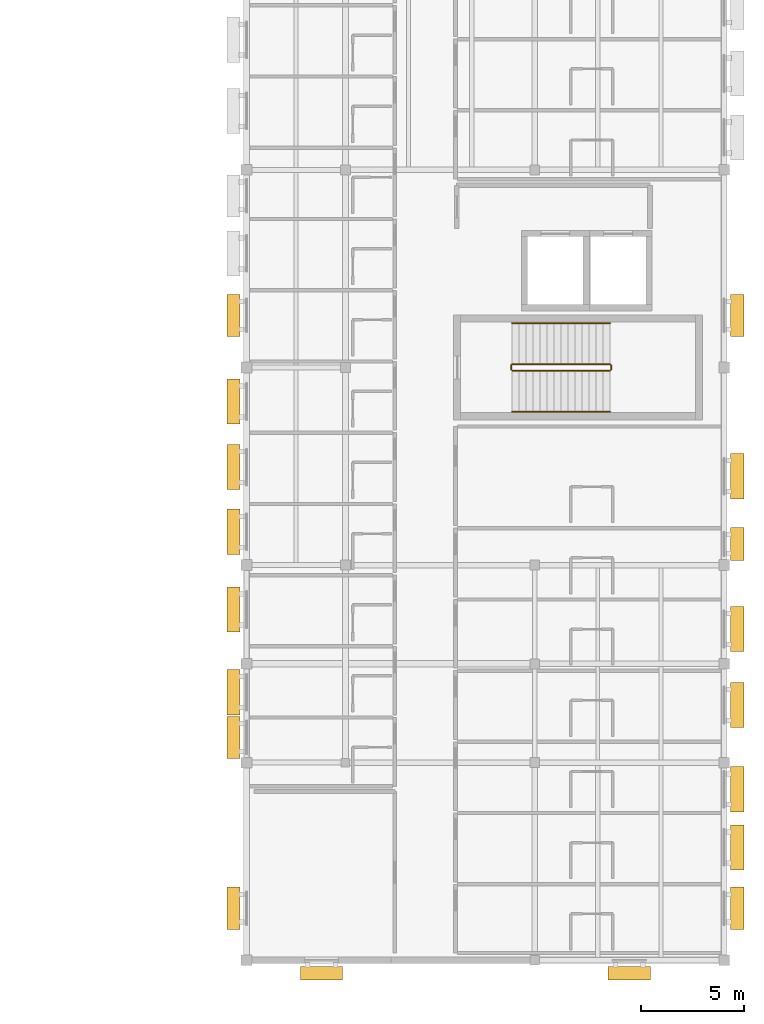
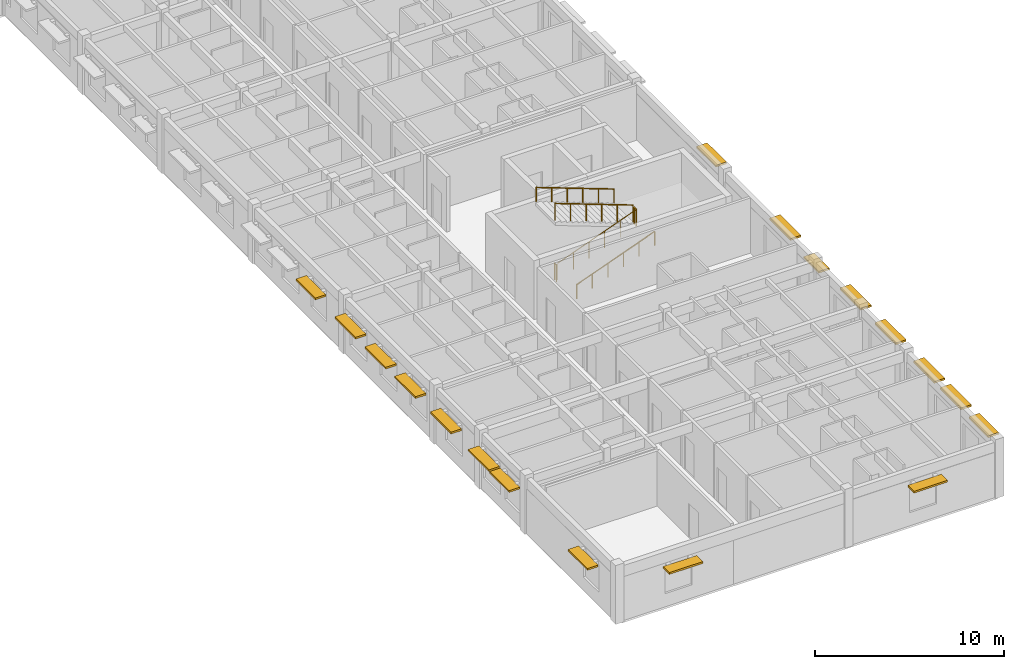
# One storey, part 18 of 20: 18 shading devices, 6 railings.
"""IFC4 building model written with IfcOpenShell, lengths in metres."""

from ifc_helpers import new_model, si_unit, direction, frame, origin, origin_2d, place, context, subcontext, project, spatial, rectangle, circle, extrude, material, type_object, element, save


model = new_model("IFC4")

# Units and contexts
model_context = context("Model", 3, precision=1e-05, world=origin(), true_north=direction((0.0, 1.0)))
body_context = subcontext(model_context, "Body", "Model", "MODEL_VIEW")
ifc_project = project(units=[si_unit("LENGTHUNIT", "METRE"), si_unit("AREAUNIT", "SQUARE_METRE"), si_unit("VOLUMEUNIT", "CUBIC_METRE"), si_unit("PLANEANGLEUNIT", "RADIAN"), si_unit("MASSUNIT", "GRAM", prefix="KILO")], contexts=[model_context])

# Site, building, storey
site_placement = place(None, origin())
site = spatial("IfcSite", under=ifc_project, at=site_placement, CompositionType="ELEMENT")
building_placement = place(site_placement, origin())
building = spatial("IfcBuilding", under=site, at=building_placement, Name="Veldera Park Congress Hotel", CompositionType="ELEMENT")
storey_placement = place(building_placement, frame((0.0, 0.0, 27.60009765625)))
storey = spatial("IfcBuildingStorey", under=building, at=storey_placement, Name="L06", CompositionType="ELEMENT", Elevation=27.60009765625)

# Railings
ifc_material_1 = material(Name="Steel ASTM A992 Gr.50", Category="steel")
railing_type_1 = type_object("IfcRailingType", Name="GRD-ST110", PredefinedType="GUARDRAIL", material=ifc_material_1)
railing_1_placement = place(storey_placement, frame((73.699951171875, -9.14990234375, 0.12646484375)))
element("IfcRailing", 1, at=railing_1_placement, inside=storey, type_object=railing_type_1, Name="L06 ST2 stair guard 1", PredefinedType="GUARDRAIL", context=body_context, shape_type="SweptSolid", body=[
    extrude(circle(Radius=0.02392578125, at=origin_2d()), frame((0.0, 0.0, 1.076171875), z_axis=(0.937075640343, 0.0, 0.349126401572), x_axis=(0.0, 1.0, 0.0)), (0.0, 0.0, 1.0), 5.07958984375),
    extrude(circle(Radius=0.02099609375, at=origin_2d()), origin(), (0.0, 0.0, 1.0), 1.052001953125),
    extrude(circle(Radius=0.02099609375, at=origin_2d()), frame((0.951904296875, 0.0, 0.354736328125)), (0.0, 0.0, 1.0), 1.052001953125),
    extrude(circle(Radius=0.02099609375, at=origin_2d()), frame((1.904052734375, 0.0, 0.70947265625)), (0.0, 0.0, 1.0), 1.052001953125),
    extrude(circle(Radius=0.02099609375, at=origin_2d()), frame((2.85595703125, 0.0, 1.06396484375)), (0.0, 0.0, 1.0), 1.052001953125),
    extrude(circle(Radius=0.02099609375, at=origin_2d()), frame((3.80810546875, 0.0, 1.418701171875)), (0.0, 0.0, 1.0), 1.052001953125),
    extrude(circle(Radius=0.02099609375, at=origin_2d()), frame((4.760009765625, 0.0, 1.7734375)), (0.0, 0.0, 1.0), 1.052001953125),
])
railing_2_placement = place(storey_placement, frame((78.510009765625, -9.10009765625, 1.89990234375)))
element("IfcRailing", 2, at=railing_2_placement, inside=storey, type_object=railing_type_1, Name="L06 ST2 stair guard 2", PredefinedType="GUARDRAIL", context=body_context, shape_type="SweptSolid", body=[
    extrude(circle(Radius=0.02392578125, at=origin_2d()), frame((0.0, 0.0, 1.076171875), z_axis=(0.0, 1.0, 0.0), x_axis=(-1.0, 0.0, 0.0)), (0.0, 0.0, 1.0), 0.2001953125),
    extrude(circle(Radius=0.02099609375, at=origin_2d()), origin(), (0.0, 0.0, 1.0), 1.052001953125),
    extrude(circle(Radius=0.02099609375, at=origin_2d()), frame((0.0, 0.2001953125, 0.0)), (0.0, 0.0, 1.0), 1.052001953125),
])
railing_3_placement = place(storey_placement, frame((78.4599609375, -8.85009765625, 2.026611328125)))
element("IfcRailing", 3, at=railing_3_placement, inside=storey, type_object=railing_type_1, Name="L06 ST2 stair guard 3", PredefinedType="GUARDRAIL", context=body_context, shape_type="SweptSolid", body=[
    extrude(circle(Radius=0.02392578125, at=origin_2d()), frame((0.0, 0.0, 1.076171875), z_axis=(-0.937091363699, 0.0, 0.349084196263), x_axis=(0.0, -1.0, 0.0)), (0.0, 0.0, 1.0), 5.07958984375),
    extrude(circle(Radius=0.02099609375, at=origin_2d()), origin(), (0.0, 0.0, 1.0), 1.052001953125),
    extrude(circle(Radius=0.02099609375, at=origin_2d()), frame((-0.951904296875, 0.0, 0.354736328125)), (0.0, 0.0, 1.0), 1.052001953125),
    extrude(circle(Radius=0.02099609375, at=origin_2d()), frame((-1.904052734375, 0.0, 0.709228515625)), (0.0, 0.0, 1.0), 1.052001953125),
    extrude(circle(Radius=0.02099609375, at=origin_2d()), frame((-2.85595703125, 0.0, 1.06396484375)), (0.0, 0.0, 1.0), 1.052001953125),
    extrude(circle(Radius=0.02099609375, at=origin_2d()), frame((-3.80810546875, 0.0, 1.41845703125)), (0.0, 0.0, 1.0), 1.052001953125),
    extrude(circle(Radius=0.02099609375, at=origin_2d()), frame((-4.760009765625, 0.0, 1.773193359375)), (0.0, 0.0, 1.0), 1.052001953125),
])
railing_4_placement = place(storey_placement, frame((73.64990234375, -9.10009765625, 0.0)))
element("IfcRailing", 4, at=railing_4_placement, inside=storey, type_object=railing_type_1, Name="L06 ST2 stair guard 4", PredefinedType="GUARDRAIL", context=body_context, shape_type="SweptSolid", body=[
    extrude(circle(Radius=0.02392578125, at=origin_2d()), frame((0.0, 0.0, 1.076171875), z_axis=(0.0, 1.0, 0.0), x_axis=(-1.0, 0.0, 0.0)), (0.0, 0.0, 1.0), 0.2001953125),
    extrude(circle(Radius=0.02099609375, at=origin_2d()), origin(), (0.0, 0.0, 1.0), 1.052001953125),
    extrude(circle(Radius=0.02099609375, at=origin_2d()), frame((0.0, 0.2001953125, 0.0)), (0.0, 0.0, 1.0), 1.052001953125),
])
railing_type_2 = type_object("IfcRailingType", Name="HRL-920", PredefinedType="HANDRAIL", material=ifc_material_1)
railing_5_placement = place(storey_placement, frame((73.699951171875, -11.14990234375, 0.12646484375)))
element("IfcRailing", 5, at=railing_5_placement, inside=storey, type_object=railing_type_2, Name="L06 ST2 stair handrail 1", PredefinedType="HANDRAIL", context=body_context, shape_type="SweptSolid", body=[
    extrude(circle(Radius=0.02392578125, at=origin_2d()), frame((0.0, 0.0, 0.89599609375), z_axis=(0.937075640343, 0.0, 0.349126401572), x_axis=(0.0, 1.0, 0.0)), (0.0, 0.0, 1.0), 5.07958984375),
    extrude(circle(Radius=0.02099609375, at=origin_2d()), origin(), (0.0, 0.0, 1.0), 0.871826171875),
    extrude(circle(Radius=0.02099609375, at=origin_2d()), frame((0.951904296875, 0.0, 0.354736328125)), (0.0, 0.0, 1.0), 0.871826171875),
    extrude(circle(Radius=0.02099609375, at=origin_2d()), frame((1.904052734375, 0.0, 0.70947265625)), (0.0, 0.0, 1.0), 0.871826171875),
    extrude(circle(Radius=0.02099609375, at=origin_2d()), frame((2.85595703125, 0.0, 1.06396484375)), (0.0, 0.0, 1.0), 0.871826171875),
    extrude(circle(Radius=0.02099609375, at=origin_2d()), frame((3.80810546875, 0.0, 1.418701171875)), (0.0, 0.0, 1.0), 0.871826171875),
    extrude(circle(Radius=0.02099609375, at=origin_2d()), frame((4.760009765625, 0.0, 1.7734375)), (0.0, 0.0, 1.0), 0.871826171875),
])
railing_6_placement = place(storey_placement, frame((78.4599609375, -6.85009765625, 2.026611328125)))
element("IfcRailing", 6, at=railing_6_placement, inside=storey, type_object=railing_type_2, Name="L06 ST2 stair handrail 2", PredefinedType="HANDRAIL", context=body_context, shape_type="SweptSolid", body=[
    extrude(circle(Radius=0.02392578125, at=origin_2d()), frame((0.0, 0.0, 0.89599609375), z_axis=(-0.937091363699, 0.0, 0.349084196263), x_axis=(0.0, -1.0, 0.0)), (0.0, 0.0, 1.0), 5.07958984375),
    extrude(circle(Radius=0.02099609375, at=origin_2d()), origin(), (0.0, 0.0, 1.0), 0.871826171875),
    extrude(circle(Radius=0.02099609375, at=origin_2d()), frame((-0.951904296875, 0.0, 0.354736328125)), (0.0, 0.0, 1.0), 0.871826171875),
    extrude(circle(Radius=0.02099609375, at=origin_2d()), frame((-1.904052734375, 0.0, 0.709228515625)), (0.0, 0.0, 1.0), 0.871826171875),
    extrude(circle(Radius=0.02099609375, at=origin_2d()), frame((-2.85595703125, 0.0, 1.06396484375)), (0.0, 0.0, 1.0), 0.871826171875),
    extrude(circle(Radius=0.02099609375, at=origin_2d()), frame((-3.80810546875, 0.0, 1.41845703125)), (0.0, 0.0, 1.0), 0.871826171875),
    extrude(circle(Radius=0.02099609375, at=origin_2d()), frame((-4.760009765625, 0.0, 1.773193359375)), (0.0, 0.0, 1.0), 0.871826171875),
])

# Shading devices
ifc_material_2 = material(Name="Glulam GL28h (NDS 24F-V4)", Category="wood")
shading_device_type = type_object("IfcShadingDeviceType", Name="SHD-LVR300", PredefinedType="JALOUSIE", material=ifc_material_2)
for number, where, z_axis, x_axis, name in (
    (7, (64.43505859375, -38.43505859375, 2.64990234375), (0.0, 0.0, 1.0), (1.0, 0.0, 0.0), "Glulam Solar Shade 171"),
    (8, (79.389892578125, -38.43505859375, 2.669921875), (0.0, 0.0, 1.0), (1.0, 0.0, 0.0), "Glulam Solar Shade 172"),
    (9, (84.635009765625, -35.27099609375, 2.669921875), (0.0, 0.0, 1.0), (0.0, 1.0, 0.0), "Glulam Solar Shade 173"),
    (10, (84.635009765625, -6.470947265625, 2.669921875), (0.0, 0.0, 1.0), (0.0, 1.0, 0.0), "Glulam Solar Shade 174"),
    (11, (60.1650390625, -6.470947265625, 2.669921875), (0.0, 0.0, 1.0), (0.0, -1.0, 0.0), "Glulam Solar Shade 185"),
    (12, (60.1650390625, -35.27099609375, 2.669921875), (0.0, 0.0, 1.0), (0.0, -1.0, 0.0), "Glulam Solar Shade 186"),
    (13, (60.1650390625, -26.97607421875, 2.669921875), (0.0, 0.0, 1.0), (0.0, -1.0, 0.0), "Glulam Solar Shade 426"),
):
    element("IfcShadingDevice", number, at=place(storey_placement, frame(where, z_axis=z_axis, x_axis=x_axis)), inside=storey, type_object=shading_device_type, Name=name, PredefinedType="JALOUSIE", context=body_context, shape_type="SweptSolid", body=[
        extrude(rectangle(XDim=2.050048828125, YDim=0.64990234375, at=origin_2d()), origin(), (0.0, 0.0, 1.0), 0.1201171875),
    ])
for number, where, z_axis, x_axis, name in (
    (14, (60.1650390625, -24.77392578125, 2.7197265625), (0.0, 0.0, 1.0), (0.0, -1.0, 0.0), "Glulam Solar Shade 427"),
    (15, (60.1650390625, -20.760009765625, 2.7197265625), (0.0, 0.0, 1.0), (0.0, -1.0, 0.0), "Glulam Solar Shade 428"),
    (16, (60.1650390625, -16.986083984375, 2.7197265625), (0.0, 0.0, 1.0), (0.0, -1.0, 0.0), "Glulam Solar Shade 429"),
    (17, (60.1650390625, -13.840087890625, 2.7197265625), (0.0, 0.0, 1.0), (0.0, -1.0, 0.0), "Glulam Solar Shade 430"),
    (18, (60.1650390625, -10.654052734375, 2.7197265625), (0.0, 0.0, 1.0), (0.0, -1.0, 0.0), "Glulam Solar Shade 431"),
    (19, (84.635009765625, -32.320068359375, 2.7197265625), (0.0, 0.0, 1.0), (0.0, 1.0, 0.0), "Glulam Solar Shade 441"),
    (20, (84.635009765625, -29.493896484375, 2.7197265625), (0.0, 0.0, 1.0), (0.0, 1.0, 0.0), "Glulam Solar Shade 442"),
    (21, (84.635009765625, -25.39990234375, 2.7197265625), (0.0, 0.0, 1.0), (0.0, 1.0, 0.0), "Glulam Solar Shade 443"),
    (22, (84.635009765625, -21.7060546875, 2.7197265625), (0.0, 0.0, 1.0), (0.0, 1.0, 0.0), "Glulam Solar Shade 444"),
):
    element("IfcShadingDevice", number, at=place(storey_placement, frame(where, z_axis=z_axis, x_axis=x_axis)), inside=storey, type_object=shading_device_type, Name=name, PredefinedType="JALOUSIE", context=body_context, shape_type="SweptSolid", body=[
        extrude(rectangle(XDim=2.199951171875, YDim=0.64990234375, at=origin_2d()), origin(), (0.0, 0.0, 1.0), 0.1201171875),
    ])
shading_device_1_placement = place(storey_placement, frame((84.635009765625, -17.575927734375, 2.419921875), z_axis=(0.0, 0.0, 1.0), x_axis=(0.0, 1.0, 0.0)))
element("IfcShadingDevice", 23, at=shading_device_1_placement, inside=storey, type_object=shading_device_type, Name="Glulam Solar Shade 445", PredefinedType="JALOUSIE", context=body_context, shape_type="SweptSolid", body=[
    extrude(rectangle(XDim=1.60009765625, YDim=0.64990234375, at=origin_2d()), origin(), (0.0, 0.0, 1.0), 0.1201171875),
])
shading_device_2_placement = place(storey_placement, frame((84.635009765625, -14.280029296875, 2.7197265625), z_axis=(0.0, 0.0, 1.0), x_axis=(0.0, 1.0, 0.0)))
element("IfcShadingDevice", 24, at=shading_device_2_placement, inside=storey, type_object=shading_device_type, Name="Glulam Solar Shade 446", PredefinedType="JALOUSIE", context=body_context, shape_type="SweptSolid", body=[
    extrude(rectangle(XDim=2.199951171875, YDim=0.64990234375, at=origin_2d()), origin(), (0.0, 0.0, 1.0), 0.1201171875),
])

save(model, "model.ifc")
